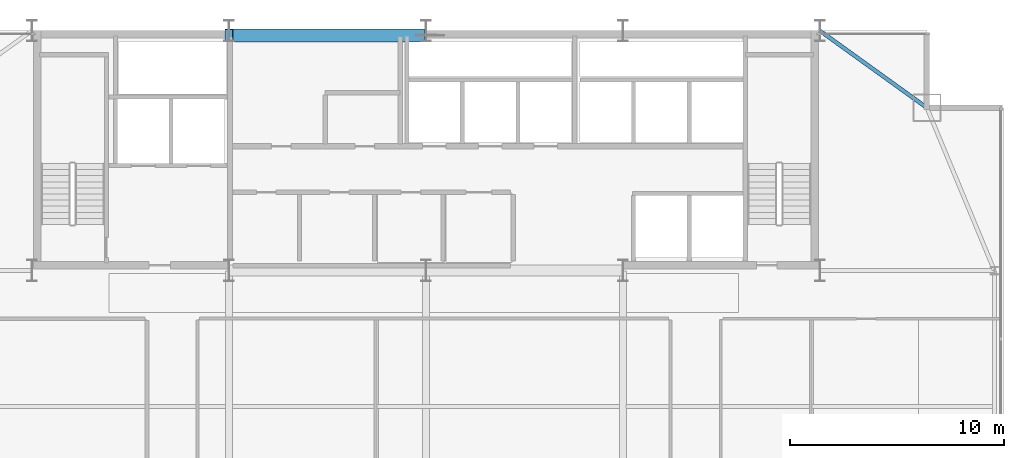
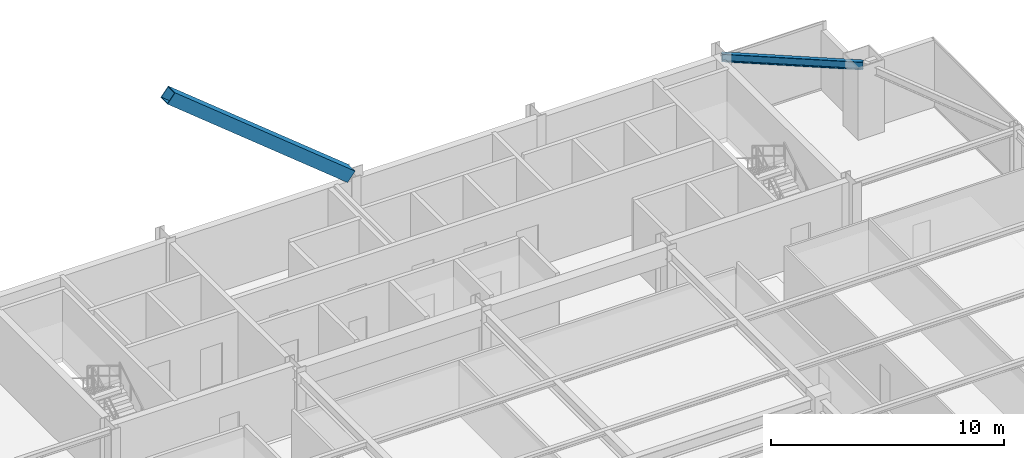
# One storey, part 21 of 30: 1 beam, 1 member.
"""IFC4 building model written with IfcOpenShell, lengths in metres."""

from ifc_helpers import new_model, si_unit, direction, frame, origin, origin_2d, place, context, subcontext, project, spatial, hollow_rectangle, i_section, extrude, source, transform, mapped, material, material_profile, profile_set, type_object, type_shapes, element, save


model = new_model("IFC4")

# Units and contexts
model_context = context("Model", 3, precision=1e-05, world=origin(), true_north=direction((0.0, 1.0)))
body_context = subcontext(model_context, "Body", "Model", "MODEL_VIEW")
ifc_project = project(units=[si_unit("LENGTHUNIT", "METRE"), si_unit("AREAUNIT", "SQUARE_METRE"), si_unit("VOLUMEUNIT", "CUBIC_METRE"), si_unit("PLANEANGLEUNIT", "RADIAN"), si_unit("MASSUNIT", "GRAM", prefix="KILO")], contexts=[model_context])

# Site, building, storey
site_placement = place(None, origin())
site = spatial("IfcSite", under=ifc_project, at=site_placement, CompositionType="ELEMENT")
building_placement = place(site_placement, origin())
building = spatial("IfcBuilding", under=site, at=building_placement, Name="Varnel Quay Broadcast Tower", CompositionType="ELEMENT")
storey_placement = place(building_placement, frame((0.0, 0.0, 149.60009765625)))
storey = spatial("IfcBuildingStorey", under=building, at=storey_placement, Name="L36", CompositionType="ELEMENT", Elevation=149.60009765625)

# Beam
ifc_material_1 = material(Name="Structural Steel CSA G40.21 350W", Category="steel")
ifc_material_profile_1 = material_profile(ifc_material_1, i_section(OverallWidth=0.180908203125, OverallDepth=0.4169921875, WebThickness=0.010986328125, FlangeThickness=0.018310546875, FilletRadius=0.011962890625, at=origin_2d()), Name="W410X85")
ifc_profile_set_1 = profile_set([ifc_material_profile_1], Name="Structural Steel CSA G40.21 350W")
beam_type = type_object("IfcBeamType", Name="Beam_W410X85", PredefinedType="SPANDREL", material=ifc_profile_set_1)
shared_shape_1 = source(origin(), body_context, "Body", "SweptSolid", [
    extrude(i_section(OverallWidth=0.180908203125, OverallDepth=0.4169921875, WebThickness=0.010986328125, FlangeThickness=0.018310546875, FilletRadius=0.011962890625, at=origin_2d()), origin(), (0.0, 0.0, 1.0), 6.12109375),
])
type_shapes(beam_type, [shared_shape_1])
beam_placement = place(storey_placement, frame((52.416259765625, 46.788330078125, 3.34130859375), z_axis=(0.811531315425, -0.584308928637, 0.0), x_axis=(0.584308928637, 0.811531315425, 0.0)))
element("IfcBeam", 1, at=beam_placement, inside=storey, type_object=beam_type, Name="L36 NE Tie Spandrel", PredefinedType="SPANDREL", context=body_context, shape_type="MappedRepresentation", body=[
    mapped(shared_shape_1, transform((0.0, 0.0, 0.0), x_axis=(1.0, 0.0, 0.0), y_axis=(0.0, 1.0, 0.0), z_axis=(0.0, 0.0, 1.0), scale=1.0)),
])

# Member
ifc_material_2 = material(Name="Structural Steel CSA G40.21 350WT", Category="steel")
ifc_material_profile_2 = material_profile(ifc_material_2, hollow_rectangle(XDim=0.60009765625, YDim=0.60009765625, WallThickness=0.028076171875, at=origin_2d()), Name="BOX600X600X28")
ifc_profile_set_2 = profile_set([ifc_material_profile_2], Name="Structural Steel CSA G40.21 350WT")
member_type = type_object("IfcMemberType", Name="Brace_BOX600X600X28", PredefinedType="BRACE", material=ifc_profile_set_2)
shared_shape_2 = source(origin(), body_context, "Body", "SweptSolid", [
    extrude(hollow_rectangle(XDim=0.60009765625, YDim=0.60009765625, WallThickness=0.028076171875, at=origin_2d()), origin(), (0.0, 0.0, 1.0), 11.509521484375),
])
type_shapes(member_type, [shared_shape_2])
member_placement = place(storey_placement, frame((33.7421875, 46.580078125, 3.8837890625), z_axis=(-0.776938015537, 0.0, 0.629577096163), x_axis=(0.0, -1.0, 0.0)))
element("IfcMember", 2, at=member_placement, inside=storey, type_object=member_type, Name="Zone 3 Mega-Brace N-CT1 Split Diag B2", PredefinedType="BRACE", context=body_context, shape_type="MappedRepresentation", body=[
    mapped(shared_shape_2, transform((0.0, 0.0, 0.0), x_axis=(1.0, 0.0, 0.0), y_axis=(0.0, 1.0, 0.0), z_axis=(0.0, 0.0, 1.0), scale=1.0)),
])

save(model, "model.ifc")
